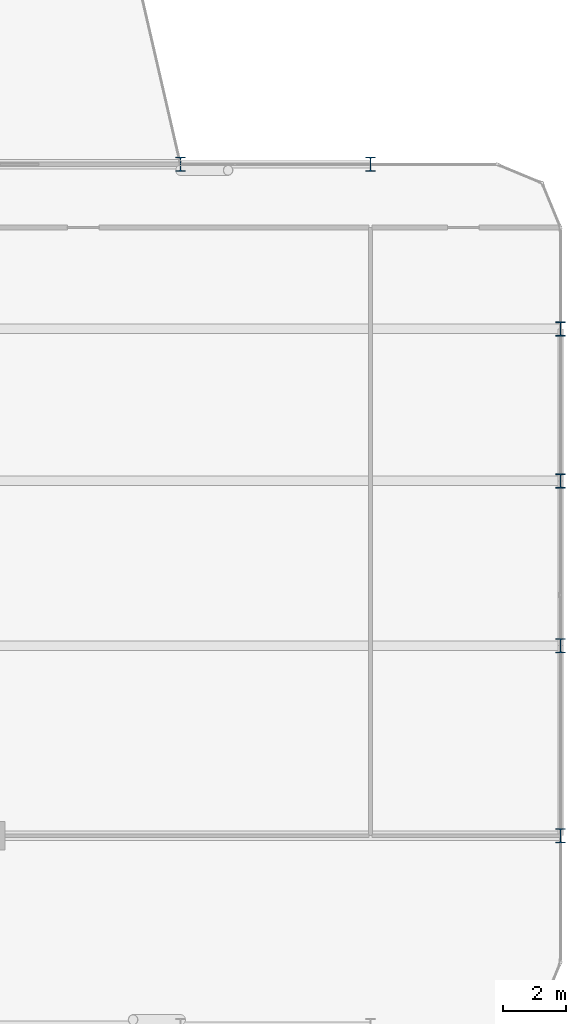
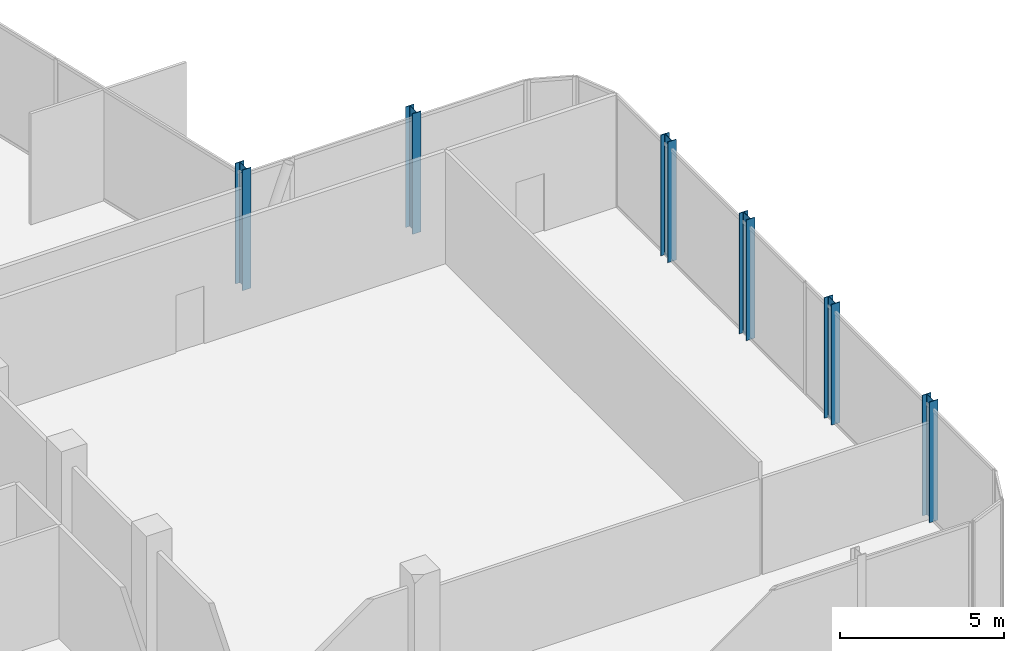
# One storey, part 2 of 31: 6 columns.
"""IFC4 building model written with IfcOpenShell, lengths in metres."""

from ifc_helpers import new_model, si_unit, direction, frame, origin, origin_2d, place, context, subcontext, project, spatial, i_section, extrude, material, material_profile, profile_set, type_object, element, save


model = new_model("IFC4")

# Units and contexts
model_context = context("Model", 3, precision=1e-05, world=origin(), true_north=direction((0.0, 1.0)))
body_context = subcontext(model_context, "Body", "Model", "MODEL_VIEW")
ifc_project = project(units=[si_unit("LENGTHUNIT", "METRE"), si_unit("AREAUNIT", "SQUARE_METRE"), si_unit("VOLUMEUNIT", "CUBIC_METRE"), si_unit("PLANEANGLEUNIT", "RADIAN"), si_unit("MASSUNIT", "GRAM", prefix="KILO")], contexts=[model_context])

# Site, building, storey
site_placement = place(None, origin())
site = spatial("IfcSite", under=ifc_project, at=site_placement, CompositionType="ELEMENT")
building_placement = place(site_placement, origin())
building = spatial("IfcBuilding", under=site, at=building_placement, Name="Keshet Zoharim Tower", CompositionType="ELEMENT")
storey_placement = place(building_placement, frame((0.0, 0.0, 183.89990234375)))
storey = spatial("IfcBuildingStorey", under=building, at=storey_placement, Name="L45", CompositionType="ELEMENT", Elevation=183.89990234375)

# Columns
ifc_material = material(Name="Steel S355", Category="steel")
ifc_material_profile = material_profile(ifc_material, i_section(OverallWidth=0.300048828125, OverallDepth=0.449951171875, WebThickness=0.013916015625, FlangeThickness=0.02587890625, FilletRadius=0.027099609375, at=origin_2d()), Name="HEB450")
ifc_profile_set = profile_set([ifc_material_profile], Name="Steel S355")
column_type = type_object("IfcColumnType", Name="COL-HEB450", PredefinedType="COLUMN", material=ifc_profile_set)
for number, where, z_axis, x_axis, name in (
    (1, (45.0, 27.89990234375, 0.0), (0.0, 0.0, 1.0), (1.0, 0.0, 0.0), "L45 Column 8F"),
    (2, (51.0, 27.89990234375, 0.0), (0.0, 0.0, 1.0), (1.0, 0.0, 0.0), "L45 Column 9F"),
    (3, (57.0, 6.699951171875, 0.0), (0.0, 0.0, 1.0), (1.0, 0.0, 0.0), "L45 Column 10B"),
    (4, (57.0, 12.699951171875, 0.0), (0.0, 0.0, 1.0), (1.0, 0.0, 0.0), "L45 Column 10C"),
    (5, (57.0, 17.89990234375, 0.0), (0.0, 0.0, 1.0), (1.0, 0.0, 0.0), "L45 Column 10D"),
    (6, (57.0, 22.699951171875, 0.0), (0.0, 0.0, 1.0), (1.0, 0.0, 0.0), "L45 Column 10E"),
):
    element("IfcColumn", number, at=place(storey_placement, frame(where, z_axis=z_axis, x_axis=x_axis)), inside=storey, type_object=column_type, Name=name, PredefinedType="COLUMN", context=body_context, shape_type="SweptSolid", body=[
        extrude(i_section(OverallWidth=0.300048828125, OverallDepth=0.449951171875, WebThickness=0.013916015625, FlangeThickness=0.02587890625, FilletRadius=0.027099609375, at=origin_2d()), origin(), (0.0, 0.0, 1.0), 4.5),
    ])

save(model, "model.ifc")
